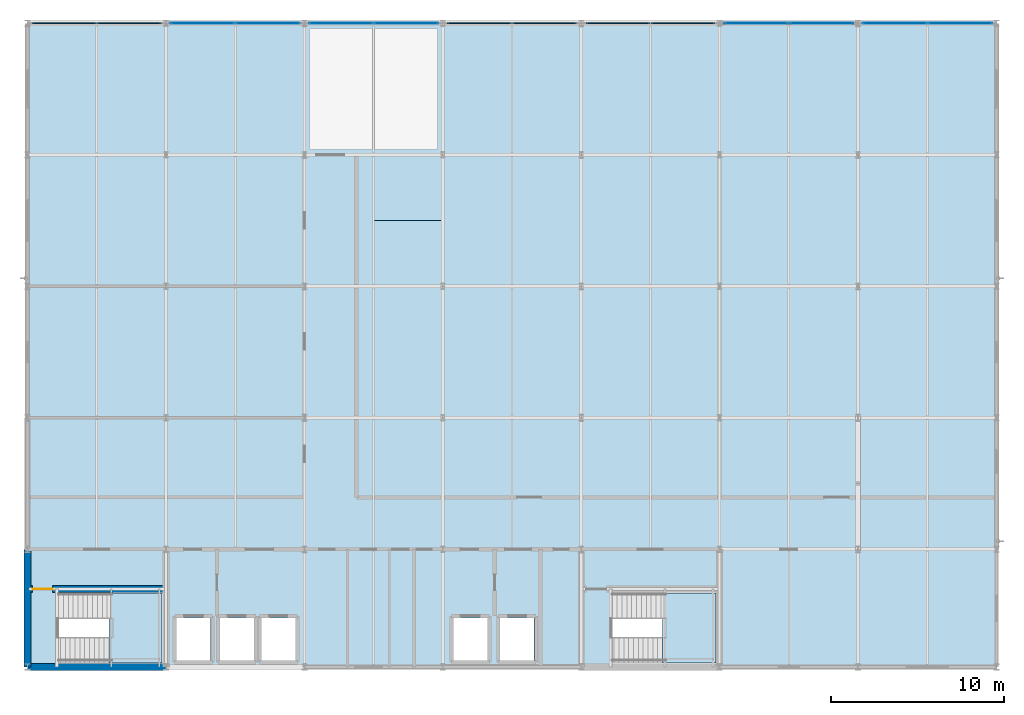
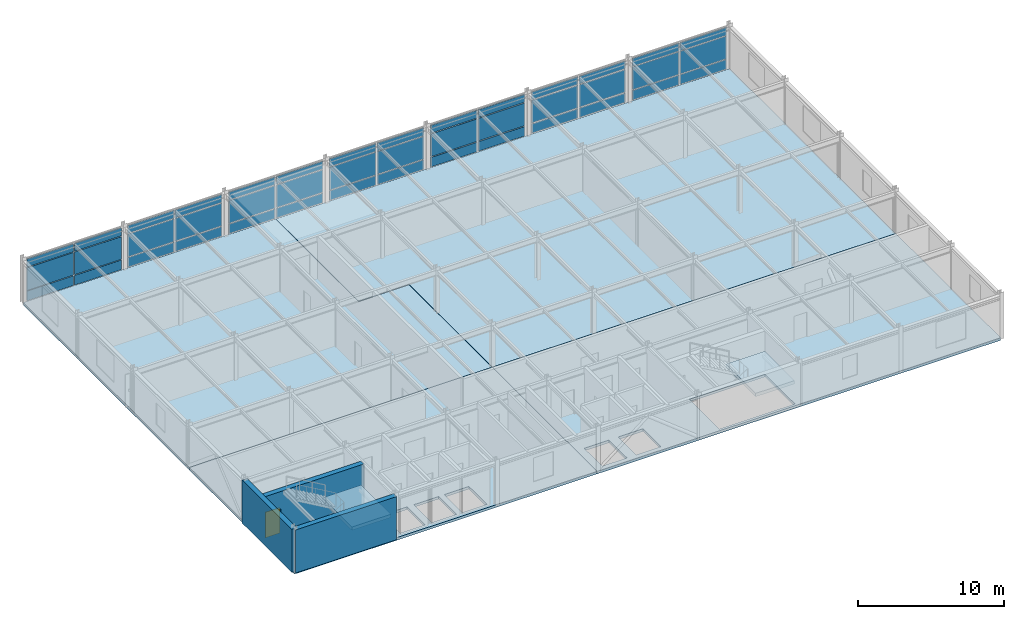
# One storey, part 10 of 15: 42 plates, 6 slabs, 3 walls, 1 door, 1 opening, 9 elements without a shape of their own.
"""IFC4 building model written with IfcOpenShell, lengths in metres."""

from ifc_helpers import new_model, si_unit, direction, frame, frame_2d, origin, origin_2d, place, context, subcontext, project, spatial, polyline, rectangle, outline, extrude, material, layer, layer_set, type_object, element, fill, aggregate, save


model = new_model("IFC4")

# Units and contexts
model_context = context("Model", 3, precision=1e-05, world=origin(), true_north=direction((0.0, 1.0)))
body_context = subcontext(model_context, "Body", "Model", "MODEL_VIEW")
ifc_project = project(units=[si_unit("LENGTHUNIT", "METRE"), si_unit("AREAUNIT", "SQUARE_METRE"), si_unit("VOLUMEUNIT", "CUBIC_METRE"), si_unit("PLANEANGLEUNIT", "RADIAN"), si_unit("MASSUNIT", "GRAM", prefix="KILO")], contexts=[model_context])

# Site, building, storey
site_placement = place(None, origin())
site = spatial("IfcSite", under=ifc_project, at=site_placement, CompositionType="ELEMENT")
building_placement = place(site_placement, origin())
building = spatial("IfcBuilding", under=site, at=building_placement, Name="Shalkamar Park Central Library", CompositionType="ELEMENT")
storey_placement = place(building_placement, frame((0.0, 0.0, 47.699951171875)))
storey = spatial("IfcBuildingStorey", under=building, at=storey_placement, Name="L12", CompositionType="ELEMENT", Elevation=47.699951171875)

# Curtain wall, plates
ifc_material_1 = material(Name="Thermally broken aluminium and triple low-e curtain wall", Category="aluminium")
ifc_layer_1 = layer(ifc_material_1, 0.260009765625)
ifc_layer_set_1 = layer_set([ifc_layer_1], Name="UnitisedCurtainWall_84")
curtain_wall_type_1 = type_object("IfcCurtainWallType", Name="Unitised Curtain Wall 84", PredefinedType="USERDEFINED", material=ifc_layer_set_1)
curtain_wall_1_placement = place(storey_placement, origin())
curtain_wall_1 = element("IfcCurtainWall", 1, at=curtain_wall_1_placement, inside=storey, type_object=curtain_wall_type_1, Name="Unitised Curtain Wall CW-L12-136", ObjectType="UNITISED CURTAIN WALL", PredefinedType="USERDEFINED")
ifc_material_2 = material(Name="Triple-glazed solar-control glass", Category="glass")
ifc_layer_2 = layer(ifc_material_2, 0.031982421875)
ifc_layer_set_2 = layer_set([ifc_layer_2], Name="SolarControlVisionPanel_32")
plate_type_1 = type_object("IfcPlateType", Name="Solar Control Vision Panel 32", PredefinedType="CURTAIN_PANEL", material=ifc_layer_set_2)
plate_1_placement = place(storey_placement, frame((175.108154296875, 285.60009765625, 0.06005859375), z_axis=(0.0, 0.0, 1.0), x_axis=(1.0, 0.0, 0.0)))
plate_1 = element("IfcPlate", 2, at=plate_1_placement, type_object=plate_type_1, Name="CW-84 panel 1.1", PredefinedType="CURTAIN_PANEL", context=body_context, shape_type="SweptSolid", body=[
    extrude(rectangle(XDim=3.699462890625, YDim=0.031982421875, at=origin_2d()), origin(), (0.0, 0.0, 1.0), 0.81005859375),
])
plate_2_placement = place(storey_placement, frame((175.108154296875, 285.60009765625, 0.93017578125), z_axis=(0.0, 0.0, 1.0), x_axis=(1.0, 0.0, 0.0)))
plate_2 = element("IfcPlate", 3, at=plate_2_placement, type_object=plate_type_1, Name="CW-84 panel 1.2", PredefinedType="CURTAIN_PANEL", context=body_context, shape_type="SweptSolid", body=[
    extrude(rectangle(XDim=3.699462890625, YDim=0.031982421875, at=origin_2d()), origin(), (0.0, 0.0, 1.0), 1.89990234375),
])
plate_3_placement = place(storey_placement, frame((175.108154296875, 285.60009765625, 2.89013671875), z_axis=(0.0, 0.0, 1.0), x_axis=(1.0, 0.0, 0.0)))
plate_3 = element("IfcPlate", 4, at=plate_3_placement, type_object=plate_type_1, Name="CW-84 panel 1.3", PredefinedType="CURTAIN_PANEL", context=body_context, shape_type="SweptSolid", body=[
    extrude(rectangle(XDim=3.699462890625, YDim=0.031982421875, at=origin_2d()), origin(), (0.0, 0.0, 1.0), 0.659912109375),
])
plate_4_placement = place(storey_placement, frame((178.8828125, 285.60009765625, 0.06005859375), z_axis=(0.0, 0.0, 1.0), x_axis=(1.0, 0.0, 0.0)))
plate_4 = element("IfcPlate", 5, at=plate_4_placement, type_object=plate_type_1, Name="CW-84 panel 2.1", PredefinedType="CURTAIN_PANEL", context=body_context, shape_type="SweptSolid", body=[
    extrude(rectangle(XDim=3.699462890625, YDim=0.031982421875, at=origin_2d()), origin(), (0.0, 0.0, 1.0), 0.81005859375),
])
plate_5_placement = place(storey_placement, frame((178.8828125, 285.60009765625, 0.93017578125), z_axis=(0.0, 0.0, 1.0), x_axis=(1.0, 0.0, 0.0)))
plate_5 = element("IfcPlate", 6, at=plate_5_placement, type_object=plate_type_1, Name="CW-84 panel 2.2", PredefinedType="CURTAIN_PANEL", context=body_context, shape_type="SweptSolid", body=[
    extrude(rectangle(XDim=3.699462890625, YDim=0.031982421875, at=origin_2d()), origin(), (0.0, 0.0, 1.0), 1.89990234375),
])
plate_6_placement = place(storey_placement, frame((178.8828125, 285.60009765625, 2.89013671875), z_axis=(0.0, 0.0, 1.0), x_axis=(1.0, 0.0, 0.0)))
plate_6 = element("IfcPlate", 7, at=plate_6_placement, type_object=plate_type_1, Name="CW-84 panel 2.3", PredefinedType="CURTAIN_PANEL", context=body_context, shape_type="SweptSolid", body=[
    extrude(rectangle(XDim=3.699462890625, YDim=0.031982421875, at=origin_2d()), origin(), (0.0, 0.0, 1.0), 0.659912109375),
])
aggregate(curtain_wall_1, [plate_1, plate_2, plate_3, plate_4, plate_5, plate_6])

ifc_layer_3 = layer(ifc_material_1, 0.280029296875)
ifc_layer_set_3 = layer_set([ifc_layer_3], Name="UnitisedCurtainWall_88")
curtain_wall_type_2 = type_object("IfcCurtainWallType", Name="Unitised Curtain Wall 88", PredefinedType="USERDEFINED", material=ifc_layer_set_3)
curtain_wall_2_placement = place(storey_placement, origin())
curtain_wall_2 = element("IfcCurtainWall", 8, at=curtain_wall_2_placement, inside=storey, type_object=curtain_wall_type_2, Name="Unitised Curtain Wall CW-L12-140", ObjectType="UNITISED CURTAIN WALL", PredefinedType="USERDEFINED")
plate_7_placement = place(storey_placement, frame((207.112060546875, 285.60009765625, 0.070068359375), z_axis=(0.0, 0.0, 1.0), x_axis=(1.0, 0.0, 0.0)))
plate_7 = element("IfcPlate", 9, at=plate_7_placement, type_object=plate_type_1, Name="CW-88 panel 1.1", PredefinedType="CURTAIN_PANEL", context=body_context, shape_type="SweptSolid", body=[
    extrude(rectangle(XDim=3.677001953125, YDim=0.031982421875, at=origin_2d()), origin(), (0.0, 0.0, 1.0), 0.794921875),
])
plate_8_placement = place(storey_placement, frame((207.112060546875, 285.60009765625, 0.93505859375), z_axis=(0.0, 0.0, 1.0), x_axis=(1.0, 0.0, 0.0)))
plate_8 = element("IfcPlate", 10, at=plate_8_placement, type_object=plate_type_1, Name="CW-88 panel 1.2", PredefinedType="CURTAIN_PANEL", context=body_context, shape_type="SweptSolid", body=[
    extrude(rectangle(XDim=3.677001953125, YDim=0.031982421875, at=origin_2d()), origin(), (0.0, 0.0, 1.0), 1.889892578125),
])
plate_9_placement = place(storey_placement, frame((207.112060546875, 285.60009765625, 2.89501953125), z_axis=(0.0, 0.0, 1.0), x_axis=(1.0, 0.0, 0.0)))
plate_9 = element("IfcPlate", 11, at=plate_9_placement, type_object=plate_type_1, Name="CW-88 panel 1.3", PredefinedType="CURTAIN_PANEL", context=body_context, shape_type="SweptSolid", body=[
    extrude(rectangle(XDim=3.677001953125, YDim=0.031982421875, at=origin_2d()), origin(), (0.0, 0.0, 1.0), 0.64501953125),
])
plate_10_placement = place(storey_placement, frame((210.87890625, 285.60009765625, 0.070068359375), z_axis=(0.0, 0.0, 1.0), x_axis=(1.0, 0.0, 0.0)))
plate_10 = element("IfcPlate", 12, at=plate_10_placement, type_object=plate_type_1, Name="CW-88 panel 2.1", PredefinedType="CURTAIN_PANEL", context=body_context, shape_type="SweptSolid", body=[
    extrude(rectangle(XDim=3.677001953125, YDim=0.031982421875, at=origin_2d()), origin(), (0.0, 0.0, 1.0), 0.794921875),
])
plate_11_placement = place(storey_placement, frame((210.87890625, 285.60009765625, 0.93505859375), z_axis=(0.0, 0.0, 1.0), x_axis=(1.0, 0.0, 0.0)))
plate_11 = element("IfcPlate", 13, at=plate_11_placement, type_object=plate_type_1, Name="CW-88 panel 2.2", PredefinedType="CURTAIN_PANEL", context=body_context, shape_type="SweptSolid", body=[
    extrude(rectangle(XDim=3.677001953125, YDim=0.031982421875, at=origin_2d()), origin(), (0.0, 0.0, 1.0), 1.889892578125),
])
plate_12_placement = place(storey_placement, frame((210.87890625, 285.60009765625, 2.89501953125), z_axis=(0.0, 0.0, 1.0), x_axis=(1.0, 0.0, 0.0)))
plate_12 = element("IfcPlate", 14, at=plate_12_placement, type_object=plate_type_1, Name="CW-88 panel 2.3", PredefinedType="CURTAIN_PANEL", context=body_context, shape_type="SweptSolid", body=[
    extrude(rectangle(XDim=3.677001953125, YDim=0.031982421875, at=origin_2d()), origin(), (0.0, 0.0, 1.0), 0.64501953125),
])
aggregate(curtain_wall_2, [plate_7, plate_8, plate_9, plate_10, plate_11, plate_12])

ifc_layer_4 = layer(ifc_material_1, 0.25)
ifc_layer_set_4 = layer_set([ifc_layer_4], Name="UnitisedCurtainWall_83")
curtain_wall_type_3 = type_object("IfcCurtainWallType", Name="Unitised Curtain Wall 83", PredefinedType="USERDEFINED", material=ifc_layer_set_4)
curtain_wall_3_placement = place(storey_placement, origin())
curtain_wall_3 = element("IfcCurtainWall", 15, at=curtain_wall_3_placement, inside=storey, type_object=curtain_wall_type_3, Name="Unitised Curtain Wall CW-L12-135", ObjectType="UNITISED CURTAIN WALL", PredefinedType="USERDEFINED")
ifc_material_3 = material(Name="Insulated aluminium spandrel panel", Category="aluminium")
ifc_layer_5 = layer(ifc_material_3, 0.080078125)
ifc_layer_set_5 = layer_set([ifc_layer_5], Name="SpandrelShadowboxPanel_80")
plate_type_2 = type_object("IfcPlateType", Name="Spandrel Shadowbox Panel 80", PredefinedType="CURTAIN_PANEL", material=ifc_layer_set_5)
plate_13_placement = place(storey_placement, frame((167.1171875, 285.60009765625, 0.06005859375), z_axis=(0.0, 0.0, 1.0), x_axis=(1.0, 0.0, 0.0)))
plate_13 = element("IfcPlate", 16, at=plate_13_placement, type_object=plate_type_2, Name="CW-83 panel 1.1", PredefinedType="CURTAIN_PANEL", context=body_context, shape_type="SweptSolid", body=[
    extrude(rectangle(XDim=3.699462890625, YDim=0.080078125, at=origin_2d()), origin(), (0.0, 0.0, 1.0), 0.81005859375),
])
plate_14_placement = place(storey_placement, frame((167.1171875, 285.60009765625, 0.93017578125), z_axis=(0.0, 0.0, 1.0), x_axis=(1.0, 0.0, 0.0)))
plate_14 = element("IfcPlate", 17, at=plate_14_placement, type_object=plate_type_2, Name="CW-83 panel 1.2", PredefinedType="CURTAIN_PANEL", context=body_context, shape_type="SweptSolid", body=[
    extrude(rectangle(XDim=3.699462890625, YDim=0.080078125, at=origin_2d()), origin(), (0.0, 0.0, 1.0), 1.89990234375),
])
plate_15_placement = place(storey_placement, frame((167.1171875, 285.60009765625, 2.89013671875), z_axis=(0.0, 0.0, 1.0), x_axis=(1.0, 0.0, 0.0)))
plate_15 = element("IfcPlate", 18, at=plate_15_placement, type_object=plate_type_2, Name="CW-83 panel 1.3", PredefinedType="CURTAIN_PANEL", context=body_context, shape_type="SweptSolid", body=[
    extrude(rectangle(XDim=3.699462890625, YDim=0.080078125, at=origin_2d()), origin(), (0.0, 0.0, 1.0), 0.659912109375),
])
plate_16_placement = place(storey_placement, frame((170.891845703125, 285.60009765625, 0.06005859375), z_axis=(0.0, 0.0, 1.0), x_axis=(1.0, 0.0, 0.0)))
plate_16 = element("IfcPlate", 19, at=plate_16_placement, type_object=plate_type_2, Name="CW-83 panel 2.1", PredefinedType="CURTAIN_PANEL", context=body_context, shape_type="SweptSolid", body=[
    extrude(rectangle(XDim=3.699462890625, YDim=0.080078125, at=origin_2d()), origin(), (0.0, 0.0, 1.0), 0.81005859375),
])
plate_17_placement = place(storey_placement, frame((170.891845703125, 285.60009765625, 0.93017578125), z_axis=(0.0, 0.0, 1.0), x_axis=(1.0, 0.0, 0.0)))
plate_17 = element("IfcPlate", 20, at=plate_17_placement, type_object=plate_type_2, Name="CW-83 panel 2.2", PredefinedType="CURTAIN_PANEL", context=body_context, shape_type="SweptSolid", body=[
    extrude(rectangle(XDim=3.699462890625, YDim=0.080078125, at=origin_2d()), origin(), (0.0, 0.0, 1.0), 1.89990234375),
])
plate_18_placement = place(storey_placement, frame((170.891845703125, 285.60009765625, 2.89013671875), z_axis=(0.0, 0.0, 1.0), x_axis=(1.0, 0.0, 0.0)))
plate_18 = element("IfcPlate", 21, at=plate_18_placement, type_object=plate_type_2, Name="CW-83 panel 2.3", PredefinedType="CURTAIN_PANEL", context=body_context, shape_type="SweptSolid", body=[
    extrude(rectangle(XDim=3.699462890625, YDim=0.080078125, at=origin_2d()), origin(), (0.0, 0.0, 1.0), 0.659912109375),
])
aggregate(curtain_wall_3, [plate_13, plate_14, plate_15, plate_16, plate_17, plate_18])

ifc_layer_6 = layer(ifc_material_1, 0.264892578125)
ifc_layer_set_6 = layer_set([ifc_layer_6], Name="UnitisedCurtainWall_87")
curtain_wall_type_4 = type_object("IfcCurtainWallType", Name="Unitised Curtain Wall 87", PredefinedType="USERDEFINED", material=ifc_layer_set_6)
curtain_wall_4_placement = place(storey_placement, origin())
curtain_wall_4 = element("IfcCurtainWall", 22, at=curtain_wall_4_placement, inside=storey, type_object=curtain_wall_type_4, Name="Unitised Curtain Wall CW-L12-139", ObjectType="UNITISED CURTAIN WALL", PredefinedType="USERDEFINED")
plate_19_placement = place(storey_placement, frame((199.11962890625, 285.60009765625, 0.070068359375), z_axis=(0.0, 0.0, 1.0), x_axis=(1.0, 0.0, 0.0)))
plate_19 = element("IfcPlate", 23, at=plate_19_placement, type_object=plate_type_2, Name="CW-87 panel 1.1", PredefinedType="CURTAIN_PANEL", context=body_context, shape_type="SweptSolid", body=[
    extrude(rectangle(XDim=3.6845703125, YDim=0.080078125, at=origin_2d()), origin(), (0.0, 0.0, 1.0), 0.794921875),
])
plate_20_placement = place(storey_placement, frame((199.11962890625, 285.60009765625, 0.93505859375), z_axis=(0.0, 0.0, 1.0), x_axis=(1.0, 0.0, 0.0)))
plate_20 = element("IfcPlate", 24, at=plate_20_placement, type_object=plate_type_2, Name="CW-87 panel 1.2", PredefinedType="CURTAIN_PANEL", context=body_context, shape_type="SweptSolid", body=[
    extrude(rectangle(XDim=3.6845703125, YDim=0.080078125, at=origin_2d()), origin(), (0.0, 0.0, 1.0), 1.889892578125),
])
plate_21_placement = place(storey_placement, frame((199.11962890625, 285.60009765625, 2.89501953125), z_axis=(0.0, 0.0, 1.0), x_axis=(1.0, 0.0, 0.0)))
plate_21 = element("IfcPlate", 25, at=plate_21_placement, type_object=plate_type_2, Name="CW-87 panel 1.3", PredefinedType="CURTAIN_PANEL", context=body_context, shape_type="SweptSolid", body=[
    extrude(rectangle(XDim=3.6845703125, YDim=0.080078125, at=origin_2d()), origin(), (0.0, 0.0, 1.0), 0.64501953125),
])
plate_22_placement = place(storey_placement, frame((202.88916015625, 285.60009765625, 0.070068359375), z_axis=(0.0, 0.0, 1.0), x_axis=(1.0, 0.0, 0.0)))
plate_22 = element("IfcPlate", 26, at=plate_22_placement, type_object=plate_type_2, Name="CW-87 panel 2.1", PredefinedType="CURTAIN_PANEL", context=body_context, shape_type="SweptSolid", body=[
    extrude(rectangle(XDim=3.6845703125, YDim=0.080078125, at=origin_2d()), origin(), (0.0, 0.0, 1.0), 0.794921875),
])
plate_23_placement = place(storey_placement, frame((202.88916015625, 285.60009765625, 0.93505859375), z_axis=(0.0, 0.0, 1.0), x_axis=(1.0, 0.0, 0.0)))
plate_23 = element("IfcPlate", 27, at=plate_23_placement, type_object=plate_type_2, Name="CW-87 panel 2.2", PredefinedType="CURTAIN_PANEL", context=body_context, shape_type="SweptSolid", body=[
    extrude(rectangle(XDim=3.6845703125, YDim=0.080078125, at=origin_2d()), origin(), (0.0, 0.0, 1.0), 1.889892578125),
])
plate_24_placement = place(storey_placement, frame((202.88916015625, 285.60009765625, 2.89501953125), z_axis=(0.0, 0.0, 1.0), x_axis=(1.0, 0.0, 0.0)))
plate_24 = element("IfcPlate", 28, at=plate_24_placement, type_object=plate_type_2, Name="CW-87 panel 2.3", PredefinedType="CURTAIN_PANEL", context=body_context, shape_type="SweptSolid", body=[
    extrude(rectangle(XDim=3.6845703125, YDim=0.080078125, at=origin_2d()), origin(), (0.0, 0.0, 1.0), 0.64501953125),
])
aggregate(curtain_wall_4, [plate_19, plate_20, plate_21, plate_22, plate_23, plate_24])

# Stair, slab
ifc_material_4 = material(Name="Concrete C35/45", Category="concrete")
stair_type = type_object("IfcStairType", Name="Protected Dog Leg Stair 150x390", PredefinedType="TWO_STRAIGHT_RUN_STAIR", material=ifc_material_4)
stair_1_placement = place(storey_placement, origin())
stair_1 = element("IfcStair", 29, at=stair_1_placement, inside=storey, type_object=stair_type, Name="Protected Core Stair ST-T1-L12", PredefinedType="TWO_STRAIGHT_RUN_STAIR")
ifc_layer_7 = layer(ifc_material_4, 0.280029296875)
ifc_layer_set_7 = layer_set([ifc_layer_7], Name="Concrete C35/45")
slab_type_1 = type_object("IfcSlabType", Name="Stair Landing Slab 160", PredefinedType="LANDING", material=ifc_layer_set_7)
slab_1_placement = place(storey_placement, frame((0.0, 0.0, 1.670166015625)))
slab_1 = element("IfcSlab", 30, at=slab_1_placement, type_object=slab_type_1, Name="ST-T1-L12 landing 1", PredefinedType="LANDING", context=body_context, shape_type="SweptSolid", body=[
    extrude(outline(polyline([(169.699951171875, 248.6201171875), (172.780029296875, 248.6201171875), (172.780029296875, 252.679931640625), (169.699951171875, 252.679931640625), (169.699951171875, 248.6201171875)])), origin(), (0.0, 0.0, 1.0), 0.27978515625),
])
aggregate(stair_1, [slab_1])

stair_2_placement = place(storey_placement, origin())
stair_2 = element("IfcStair", 31, at=stair_2_placement, inside=storey, type_object=stair_type, Name="Protected Core Stair ST-T2-L12", PredefinedType="TWO_STRAIGHT_RUN_STAIR")
slab_2_placement = place(storey_placement, frame((0.0, 0.0, 1.670166015625)))
slab_2 = element("IfcSlab", 32, at=slab_2_placement, type_object=slab_type_1, Name="ST-T2-L12 landing 1", PredefinedType="LANDING", context=body_context, shape_type="SweptSolid", body=[
    extrude(outline(polyline([(201.699951171875, 248.6201171875), (204.780029296875, 248.6201171875), (204.780029296875, 252.679931640625), (201.699951171875, 252.679931640625), (201.699951171875, 248.6201171875)])), origin(), (0.0, 0.0, 1.0), 0.27978515625),
])
aggregate(stair_2, [slab_2])

# Slabs
ifc_layer_8 = layer(ifc_material_4, 0.219970703125)
ifc_layer_set_8 = layer_set([ifc_layer_8], Name="Concrete C35/45")
slab_type_2 = type_object("IfcSlabType", Name="Suspended Floor Slab 220", PredefinedType="FLOOR", material=ifc_layer_set_8)
slab_3_placement = place(storey_placement, frame((0.0, 0.0, -0.219970703125)))
element("IfcSlab", 33, at=slab_3_placement, inside=storey, type_object=slab_type_2, Name="Level L12 Composite Floor Slab NW", PredefinedType="FLOOR", context=body_context, shape_type="SweptSolid", body=[
    extrude(outline(polyline([(165.0, 262.800048828125), (188.989990234375, 262.800048828125), (188.989990234375, 274.18994140625), (184.989990234375, 274.18994140625), (184.989990234375, 285.60009765625), (165.0, 285.60009765625), (165.0, 262.800048828125)])), origin(), (0.0, 0.0, 1.0), 0.219970703125),
])
slab_4_placement = place(storey_placement, frame((0.0, 0.0, -0.219970703125)))
element("IfcSlab", 34, at=slab_4_placement, inside=storey, type_object=slab_type_2, Name="Level L12 Composite Floor Slab NE", PredefinedType="FLOOR", context=body_context, shape_type="SweptSolid", body=[
    extrude(outline(polyline([(189.010009765625, 262.800048828125), (221.0, 262.800048828125), (221.0, 285.60009765625), (185.010009765625, 285.60009765625), (185.010009765625, 274.2099609375), (189.010009765625, 274.2099609375), (189.010009765625, 262.800048828125)])), origin(), (0.0, 0.0, 1.0), 0.219970703125),
])
slab_5_placement = place(storey_placement, frame((0.0, 0.0, -0.219970703125)))
element("IfcSlab", 35, at=slab_5_placement, inside=storey, type_object=slab_type_2, Name="Level L12 Composite Floor Slab SW", PredefinedType="FLOOR", context=body_context, shape_type="SweptSolid", body=[
    extrude(outline(polyline([(165.0, 248.39990234375), (165.0, 262.800048828125), (189.0, 262.800048828125), (189.0, 248.39990234375), (165.0, 248.39990234375)]), holes=[polyline([(173.6201171875, 248.77001953125), (175.580078125, 248.77001953125), (175.580078125, 251.22998046875), (173.6201171875, 251.22998046875), (173.6201171875, 248.77001953125)]), polyline([(176.1201171875, 251.22998046875), (176.1201171875, 248.77001953125), (178.080078125, 248.77001953125), (178.080078125, 251.22998046875), (176.1201171875, 251.22998046875)]), polyline([(178.52001953125, 251.22998046875), (178.52001953125, 248.77001953125), (180.47998046875, 248.77001953125), (180.47998046875, 251.22998046875), (178.52001953125, 251.22998046875)]), polyline([(166.800048828125, 252.699951171875), (166.800048828125, 248.60009765625), (172.800048828125, 248.60009765625), (172.800048828125, 252.699951171875), (166.800048828125, 252.699951171875)])]), origin(), (0.0, 0.0, 1.0), 0.219970703125),
])
slab_6_placement = place(storey_placement, frame((0.0, 0.0, -0.219970703125)))
element("IfcSlab", 36, at=slab_6_placement, inside=storey, type_object=slab_type_2, Name="Level L12 Composite Floor Slab SE", PredefinedType="FLOOR", context=body_context, shape_type="SweptSolid", body=[
    extrude(outline(polyline([(189.0, 248.39990234375), (189.0, 262.800048828125), (221.0, 262.800048828125), (221.0, 248.39990234375), (189.0, 248.39990234375)]), holes=[polyline([(189.6201171875, 251.22998046875), (189.6201171875, 248.77001953125), (191.580078125, 248.77001953125), (191.580078125, 251.22998046875), (189.6201171875, 251.22998046875)]), polyline([(192.320068359375, 251.22998046875), (192.320068359375, 248.77001953125), (194.280029296875, 248.77001953125), (194.280029296875, 251.22998046875), (192.320068359375, 251.22998046875)]), polyline([(198.800048828125, 252.699951171875), (198.800048828125, 248.60009765625), (204.800048828125, 248.60009765625), (204.800048828125, 252.699951171875), (198.800048828125, 252.699951171875)])]), origin(), (0.0, 0.0, 1.0), 0.219970703125),
])

# Curtain wall, plates
ifc_layer_9 = layer(ifc_material_1, 0.27001953125)
ifc_layer_set_9 = layer_set([ifc_layer_9], Name="UnitisedCurtainWall_86")
curtain_wall_type_5 = type_object("IfcCurtainWallType", Name="Unitised Curtain Wall 86", PredefinedType="USERDEFINED", material=ifc_layer_set_9)
curtain_wall_5_placement = place(storey_placement, origin())
curtain_wall_5 = element("IfcCurtainWall", 37, at=curtain_wall_5_placement, inside=storey, type_object=curtain_wall_type_5, Name="Unitised Curtain Wall CW-L12-138", ObjectType="UNITISED CURTAIN WALL", PredefinedType="USERDEFINED")
ifc_material_5 = material(Name="Triple-glazed laminated glass", Category="glass")
ifc_layer_10 = layer(ifc_material_5, 0.06005859375)
ifc_layer_set_10 = layer_set([ifc_layer_10], Name="TripleGlazedPodiumPanel_60")
plate_type_3 = type_object("IfcPlateType", Name="Triple Glazed Podium Panel 60", PredefinedType="CURTAIN_PANEL", material=ifc_layer_set_10)
plate_25_placement = place(storey_placement, frame((191.109619140625, 285.60009765625, 0.06494140625), z_axis=(0.0, 0.0, 1.0), x_axis=(1.0, 0.0, 0.0)))
plate_25 = element("IfcPlate", 38, at=plate_25_placement, type_object=plate_type_3, Name="CW-86 panel 1.1", PredefinedType="CURTAIN_PANEL", context=body_context, shape_type="SweptSolid", body=[
    extrude(rectangle(XDim=3.69189453125, YDim=0.06005859375, at=origin_2d()), origin(), (0.0, 0.0, 1.0), 0.802490234375),
])
plate_26_placement = place(storey_placement, frame((191.109619140625, 285.60009765625, 0.9326171875), z_axis=(0.0, 0.0, 1.0), x_axis=(1.0, 0.0, 0.0)))
plate_26 = element("IfcPlate", 39, at=plate_26_placement, type_object=plate_type_3, Name="CW-86 panel 1.2", PredefinedType="CURTAIN_PANEL", context=body_context, shape_type="SweptSolid", body=[
    extrude(rectangle(XDim=3.69189453125, YDim=0.06005859375, at=origin_2d()), origin(), (0.0, 0.0, 1.0), 1.89501953125),
])
plate_27_placement = place(storey_placement, frame((191.109619140625, 285.60009765625, 2.892578125), z_axis=(0.0, 0.0, 1.0), x_axis=(1.0, 0.0, 0.0)))
plate_27 = element("IfcPlate", 40, at=plate_27_placement, type_object=plate_type_3, Name="CW-86 panel 1.3", PredefinedType="CURTAIN_PANEL", context=body_context, shape_type="SweptSolid", body=[
    extrude(rectangle(XDim=3.69189453125, YDim=0.06005859375, at=origin_2d()), origin(), (0.0, 0.0, 1.0), 0.652587890625),
])
plate_28_placement = place(storey_placement, frame((194.881591796875, 285.60009765625, 0.06494140625), z_axis=(0.0, 0.0, 1.0), x_axis=(1.0, 0.0, 0.0)))
plate_28 = element("IfcPlate", 41, at=plate_28_placement, type_object=plate_type_3, Name="CW-86 panel 2.1", PredefinedType="CURTAIN_PANEL", context=body_context, shape_type="SweptSolid", body=[
    extrude(rectangle(XDim=3.69189453125, YDim=0.06005859375, at=origin_2d()), origin(), (0.0, 0.0, 1.0), 0.802490234375),
])
plate_29_placement = place(storey_placement, frame((194.881591796875, 285.60009765625, 0.9326171875), z_axis=(0.0, 0.0, 1.0), x_axis=(1.0, 0.0, 0.0)))
plate_29 = element("IfcPlate", 42, at=plate_29_placement, type_object=plate_type_3, Name="CW-86 panel 2.2", PredefinedType="CURTAIN_PANEL", context=body_context, shape_type="SweptSolid", body=[
    extrude(rectangle(XDim=3.69189453125, YDim=0.06005859375, at=origin_2d()), origin(), (0.0, 0.0, 1.0), 1.89501953125),
])
plate_30_placement = place(storey_placement, frame((194.881591796875, 285.60009765625, 2.892578125), z_axis=(0.0, 0.0, 1.0), x_axis=(1.0, 0.0, 0.0)))
plate_30 = element("IfcPlate", 43, at=plate_30_placement, type_object=plate_type_3, Name="CW-86 panel 2.3", PredefinedType="CURTAIN_PANEL", context=body_context, shape_type="SweptSolid", body=[
    extrude(rectangle(XDim=3.69189453125, YDim=0.06005859375, at=origin_2d()), origin(), (0.0, 0.0, 1.0), 0.652587890625),
])
aggregate(curtain_wall_5, [plate_25, plate_26, plate_27, plate_28, plate_29, plate_30])

ifc_layer_11 = layer(ifc_material_1, 0.2548828125)
ifc_layer_set_11 = layer_set([ifc_layer_11], Name="UnitisedCurtainWall_85")
curtain_wall_type_6 = type_object("IfcCurtainWallType", Name="Unitised Curtain Wall 85", PredefinedType="USERDEFINED", material=ifc_layer_set_11)
curtain_wall_6_placement = place(storey_placement, origin())
curtain_wall_6 = element("IfcCurtainWall", 44, at=curtain_wall_6_placement, inside=storey, type_object=curtain_wall_type_6, Name="Unitised Curtain Wall CW-L12-137", ObjectType="UNITISED CURTAIN WALL", PredefinedType="USERDEFINED")
ifc_material_6 = material(Name="Triple-glazed low-e safety glass", Category="glass")
ifc_layer_12 = layer(ifc_material_6, 0.0439453125)
ifc_layer_set_12 = layer_set([ifc_layer_12], Name="TripleGlazedVisionPanel_44")
plate_type_4 = type_object("IfcPlateType", Name="Triple Glazed Vision Panel 44", PredefinedType="CURTAIN_PANEL", material=ifc_layer_set_12)
plate_31_placement = place(storey_placement, frame((183.118408203125, 285.60009765625, 0.06494140625), z_axis=(0.0, 0.0, 1.0), x_axis=(1.0, 0.0, 0.0)))
plate_31 = element("IfcPlate", 45, at=plate_31_placement, type_object=plate_type_4, Name="CW-85 panel 1.1", PredefinedType="CURTAIN_PANEL", context=body_context, shape_type="SweptSolid", body=[
    extrude(rectangle(XDim=3.69189453125, YDim=0.0439453125, at=origin_2d()), origin(), (0.0, 0.0, 1.0), 0.802490234375),
])
plate_32_placement = place(storey_placement, frame((183.118408203125, 285.60009765625, 0.9326171875), z_axis=(0.0, 0.0, 1.0), x_axis=(1.0, 0.0, 0.0)))
plate_32 = element("IfcPlate", 46, at=plate_32_placement, type_object=plate_type_4, Name="CW-85 panel 1.2", PredefinedType="CURTAIN_PANEL", context=body_context, shape_type="SweptSolid", body=[
    extrude(rectangle(XDim=3.69189453125, YDim=0.0439453125, at=origin_2d()), origin(), (0.0, 0.0, 1.0), 1.89501953125),
])
plate_33_placement = place(storey_placement, frame((183.118408203125, 285.60009765625, 2.892578125), z_axis=(0.0, 0.0, 1.0), x_axis=(1.0, 0.0, 0.0)))
plate_33 = element("IfcPlate", 47, at=plate_33_placement, type_object=plate_type_4, Name="CW-85 panel 1.3", PredefinedType="CURTAIN_PANEL", context=body_context, shape_type="SweptSolid", body=[
    extrude(rectangle(XDim=3.69189453125, YDim=0.0439453125, at=origin_2d()), origin(), (0.0, 0.0, 1.0), 0.652587890625),
])
plate_34_placement = place(storey_placement, frame((186.890380859375, 285.60009765625, 0.06494140625), z_axis=(0.0, 0.0, 1.0), x_axis=(1.0, 0.0, 0.0)))
plate_34 = element("IfcPlate", 48, at=plate_34_placement, type_object=plate_type_4, Name="CW-85 panel 2.1", PredefinedType="CURTAIN_PANEL", context=body_context, shape_type="SweptSolid", body=[
    extrude(rectangle(XDim=3.69189453125, YDim=0.0439453125, at=origin_2d()), origin(), (0.0, 0.0, 1.0), 0.802490234375),
])
plate_35_placement = place(storey_placement, frame((186.890380859375, 285.60009765625, 0.9326171875), z_axis=(0.0, 0.0, 1.0), x_axis=(1.0, 0.0, 0.0)))
plate_35 = element("IfcPlate", 49, at=plate_35_placement, type_object=plate_type_4, Name="CW-85 panel 2.2", PredefinedType="CURTAIN_PANEL", context=body_context, shape_type="SweptSolid", body=[
    extrude(rectangle(XDim=3.69189453125, YDim=0.0439453125, at=origin_2d()), origin(), (0.0, 0.0, 1.0), 1.89501953125),
])
plate_36_placement = place(storey_placement, frame((186.890380859375, 285.60009765625, 2.892578125), z_axis=(0.0, 0.0, 1.0), x_axis=(1.0, 0.0, 0.0)))
plate_36 = element("IfcPlate", 50, at=plate_36_placement, type_object=plate_type_4, Name="CW-85 panel 2.3", PredefinedType="CURTAIN_PANEL", context=body_context, shape_type="SweptSolid", body=[
    extrude(rectangle(XDim=3.69189453125, YDim=0.0439453125, at=origin_2d()), origin(), (0.0, 0.0, 1.0), 0.652587890625),
])
aggregate(curtain_wall_6, [plate_31, plate_32, plate_33, plate_34, plate_35, plate_36])

curtain_wall_7_placement = place(storey_placement, origin())
curtain_wall_7 = element("IfcCurtainWall", 51, at=curtain_wall_7_placement, inside=storey, type_object=curtain_wall_type_3, Name="Unitised Curtain Wall CW-L12-141", ObjectType="UNITISED CURTAIN WALL", PredefinedType="USERDEFINED")
plate_37_placement = place(storey_placement, frame((215.1171875, 285.60009765625, 0.06005859375), z_axis=(0.0, 0.0, 1.0), x_axis=(1.0, 0.0, 0.0)))
plate_37 = element("IfcPlate", 52, at=plate_37_placement, type_object=plate_type_4, Name="CW-83 panel 1.1", PredefinedType="CURTAIN_PANEL", context=body_context, shape_type="SweptSolid", body=[
    extrude(rectangle(XDim=3.699462890625, YDim=0.0439453125, at=origin_2d()), origin(), (0.0, 0.0, 1.0), 0.81005859375),
])
plate_38_placement = place(storey_placement, frame((215.1171875, 285.60009765625, 0.93017578125), z_axis=(0.0, 0.0, 1.0), x_axis=(1.0, 0.0, 0.0)))
plate_38 = element("IfcPlate", 53, at=plate_38_placement, type_object=plate_type_4, Name="CW-83 panel 1.2", PredefinedType="CURTAIN_PANEL", context=body_context, shape_type="SweptSolid", body=[
    extrude(rectangle(XDim=3.699462890625, YDim=0.0439453125, at=origin_2d()), origin(), (0.0, 0.0, 1.0), 1.89990234375),
])
plate_39_placement = place(storey_placement, frame((215.1171875, 285.60009765625, 2.89013671875), z_axis=(0.0, 0.0, 1.0), x_axis=(1.0, 0.0, 0.0)))
plate_39 = element("IfcPlate", 54, at=plate_39_placement, type_object=plate_type_4, Name="CW-83 panel 1.3", PredefinedType="CURTAIN_PANEL", context=body_context, shape_type="SweptSolid", body=[
    extrude(rectangle(XDim=3.699462890625, YDim=0.0439453125, at=origin_2d()), origin(), (0.0, 0.0, 1.0), 0.659912109375),
])
plate_40_placement = place(storey_placement, frame((218.891845703125, 285.60009765625, 0.06005859375), z_axis=(0.0, 0.0, 1.0), x_axis=(1.0, 0.0, 0.0)))
plate_40 = element("IfcPlate", 55, at=plate_40_placement, type_object=plate_type_4, Name="CW-83 panel 2.1", PredefinedType="CURTAIN_PANEL", context=body_context, shape_type="SweptSolid", body=[
    extrude(rectangle(XDim=3.699462890625, YDim=0.0439453125, at=origin_2d()), origin(), (0.0, 0.0, 1.0), 0.81005859375),
])
plate_41_placement = place(storey_placement, frame((218.891845703125, 285.60009765625, 0.93017578125), z_axis=(0.0, 0.0, 1.0), x_axis=(1.0, 0.0, 0.0)))
plate_41 = element("IfcPlate", 56, at=plate_41_placement, type_object=plate_type_4, Name="CW-83 panel 2.2", PredefinedType="CURTAIN_PANEL", context=body_context, shape_type="SweptSolid", body=[
    extrude(rectangle(XDim=3.699462890625, YDim=0.0439453125, at=origin_2d()), origin(), (0.0, 0.0, 1.0), 1.89990234375),
])
plate_42_placement = place(storey_placement, frame((218.891845703125, 285.60009765625, 2.89013671875), z_axis=(0.0, 0.0, 1.0), x_axis=(1.0, 0.0, 0.0)))
plate_42 = element("IfcPlate", 57, at=plate_42_placement, type_object=plate_type_4, Name="CW-83 panel 2.3", PredefinedType="CURTAIN_PANEL", context=body_context, shape_type="SweptSolid", body=[
    extrude(rectangle(XDim=3.699462890625, YDim=0.0439453125, at=origin_2d()), origin(), (0.0, 0.0, 1.0), 0.659912109375),
])
aggregate(curtain_wall_7, [plate_37, plate_38, plate_39, plate_40, plate_41, plate_42])

# Walls
ifc_material_7 = material(Name="Concrete C40/50", Category="concrete")
ifc_layer_13 = layer(ifc_material_7, 0.39990234375)
ifc_layer_set_13 = layer_set([ifc_layer_13], Name="Concrete C40/50")
wall_type = type_object("IfcWallType", Name="Tower Core Shear Wall 400", PredefinedType="SHEAR", material=ifc_layer_set_13)
wall_1_placement = place(storey_placement, frame((165.0, 248.39990234375, 0.0), z_axis=(0.0, 0.0, 1.0), x_axis=(1.0, 0.0, 0.0)))
element("IfcWall", 58, at=wall_1_placement, inside=storey, type_object=wall_type, Name="CORE-T1 South Shear Wall (L12)", PredefinedType="SHEAR", context=body_context, shape_type="SweptSolid", body=[
    extrude(rectangle(XDim=8.0, YDim=0.39990234375, at=frame_2d((4.0, 0.0))), origin(), (0.0, 0.0, 1.0), 3.610107421875),
])
wall_2_placement = place(storey_placement, frame((165.0, 248.39990234375, 0.0), z_axis=(0.0, 0.0, 1.0), x_axis=(0.0, 1.0, 0.0)))
element("IfcWall", 59, at=wall_2_placement, inside=storey, type_object=wall_type, Name="CORE-T1 West Shear Wall (L12)", PredefinedType="SHEAR", context=body_context, shape_type="SweptSolid", body=[
    extrude(rectangle(XDim=6.800048828125, YDim=0.39990234375, at=frame_2d((3.39990234375, 0.0))), origin(), (0.0, 0.0, 1.0), 3.610107421875),
])

# Wall, opening, door
wall_3_placement = place(storey_placement, frame((165.0, 252.89990234375, 0.0), z_axis=(0.0, 0.0, 1.0), x_axis=(1.0, 0.0, 0.0)))
wall_3 = element("IfcWall", 60, at=wall_3_placement, inside=storey, type_object=wall_type, Name="CORE-T1 Stairwell Wall (L12)", PredefinedType="SHEAR", context=body_context, shape_type="SweptSolid", body=[
    extrude(rectangle(XDim=8.0, YDim=0.39990234375, at=frame_2d((4.0, 0.0))), origin(), (0.0, 0.0, 1.0), 3.610107421875),
])
opening_placement = place(wall_3_placement, frame((0.300048828125, 0.0, 0.0)))
opening = element("IfcOpeningElement", 61, at=opening_placement, cuts=wall_3, Name="Opening DR-ST-T1-L12-IN", PredefinedType="OPENING", context=body_context, shape_type="SweptSolid", body=[
    extrude(rectangle(XDim=1.14990234375, YDim=2.14990234375, at=frame_2d((0.574951171875, 1.074951171875))), frame((0.0, 0.21484375, 0.0), z_axis=(0.0, -1.0, 0.0), x_axis=(1.0, 0.0, 0.0)), (0.0, 0.0, 1.0), 0.4296875),
])
ifc_material_8 = material(Name="Steel S355", Category="steel")
door_type = type_object("IfcDoorType", Name="Stair Core Exit Door 1150x2150", OperationType="NOTDEFINED", PredefinedType="DOOR", material=ifc_material_8)
door_placement = place(opening_placement, frame((1.14990234375, 0.0, 0.0), z_axis=(0.0, 0.0, 1.0), x_axis=(-1.0, 0.0, 0.0)))
door = element("IfcDoor", 62, at=door_placement, inside=storey, type_object=door_type, Name="Protected Stair ST-T1 Exit Door (L12)", OperationType="SINGLE_SWING_RIGHT", OverallHeight=2.14990234375, OverallWidth=1.14990234375, PredefinedType="DOOR", context=body_context, shape_type="SweptSolid", body=[
    extrude(rectangle(XDim=1.14990234375, YDim=2.14990234375, at=frame_2d((0.574951171875, 1.074951171875))), frame((0.0, 0.02490234375, 0.0), z_axis=(0.0, -1.0, 0.0), x_axis=(1.0, 0.0, 0.0)), (0.0, 0.0, 1.0), 0.050048828125),
])
fill(opening, door)

save(model, "model.ifc")
